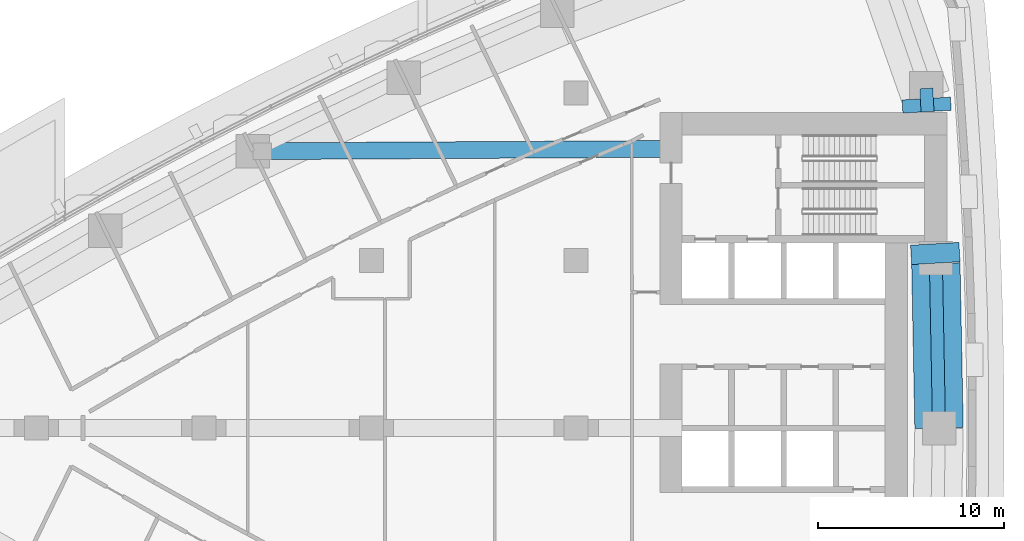
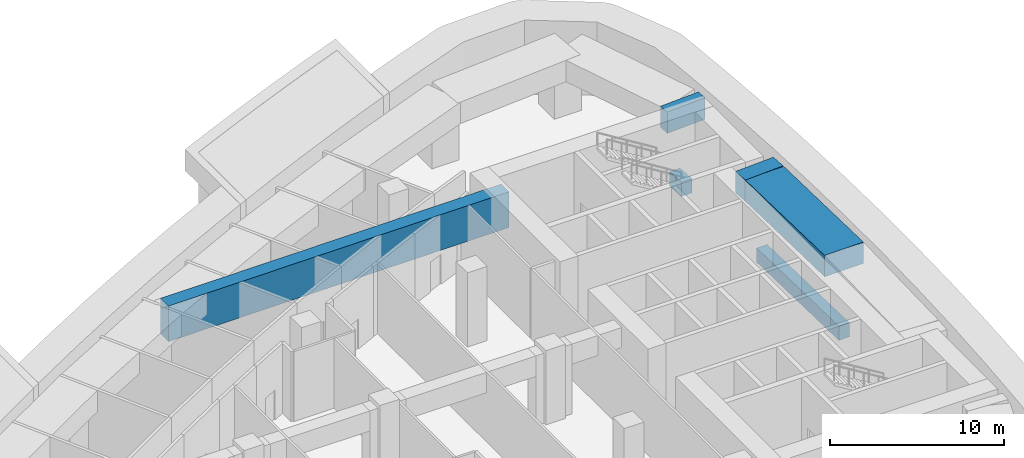
# One storey, part 6 of 17: 6 beams.
"""IFC4 building model written with IfcOpenShell, lengths in metres."""

from ifc_helpers import new_model, si_unit, direction, frame, origin, origin_2d, place, context, subcontext, project, spatial, rectangle, extrude, material, material_profile, profile_set, type_object, element, save


model = new_model("IFC4")

# Units and contexts
model_context = context("Model", 3, precision=1e-05, world=origin(), true_north=direction((0.0, 1.0)))
body_context = subcontext(model_context, "Body", "Model", "MODEL_VIEW")
ifc_project = project(units=[si_unit("LENGTHUNIT", "METRE"), si_unit("AREAUNIT", "SQUARE_METRE"), si_unit("VOLUMEUNIT", "CUBIC_METRE"), si_unit("PLANEANGLEUNIT", "RADIAN"), si_unit("MASSUNIT", "GRAM", prefix="KILO")], contexts=[model_context])

# Site, building, storey
site_placement = place(None, origin())
site = spatial("IfcSite", under=ifc_project, at=site_placement, CompositionType="ELEMENT")
building_placement = place(site_placement, origin())
building = spatial("IfcBuilding", under=site, at=building_placement, Name="Ostrand Prow Hotel Tower", CompositionType="ELEMENT")
storey_placement = place(building_placement, frame((0.0, 0.0, 75.10009765625)))
storey = spatial("IfcBuildingStorey", under=building, at=storey_placement, Name="L17", CompositionType="ELEMENT", Elevation=75.10009765625)

# Beams
ifc_material_1 = material(Name="Concrete C80/95", Category="concrete")
ifc_material_profile_1 = material_profile(ifc_material_1, rectangle(XDim=2.60009765625, YDim=1.5, at=origin_2d()), Name="RC 2600x1500")
ifc_profile_set_1 = profile_set([ifc_material_profile_1], Name="Concrete C80/95")
beam_type_1 = type_object("IfcBeamType", Name="Belt girder 2600x1500 C80/95", PredefinedType="BEAM", material=ifc_profile_set_1)
beam_1_placement = place(storey_placement, frame((64.5, 0.0, 4.14990234375), z_axis=(-0.019340553698, 0.999812953998, 0.0), x_axis=(-0.999812953998, -0.019340553698, 0.0)))
element("IfcBeam", 1, at=beam_1_placement, inside=storey, type_object=beam_type_1, Name="Belt girder B3-B4", PredefinedType="BEAM", context=body_context, shape_type="SweptSolid", body=[
    extrude(rectangle(XDim=2.60009765625, YDim=1.5, at=origin_2d()), origin(), (0.0, 0.0, 1.0), 8.861572265625),
])
beam_2_placement = place(storey_placement, frame((64.32861328125, 8.85986328125, 4.14990234375), z_axis=(-0.057884004436, 0.99832331538, 0.0), x_axis=(-0.99832331538, -0.057884004436, 0.0)))
element("IfcBeam", 2, at=beam_2_placement, inside=storey, type_object=beam_type_1, Name="Belt girder B4-B5", PredefinedType="BEAM", context=body_context, shape_type="SweptSolid", body=[
    extrude(rectangle(XDim=2.60009765625, YDim=1.5, at=origin_2d()), origin(), (0.0, 0.0, 1.0), 1.041748046875),
])
beam_3_placement = place(storey_placement, frame((63.855712890625, 17.0, 4.14990234375), z_axis=(-0.058317448014, 0.998298089379, 0.0), x_axis=(-0.998298089379, -0.058317448014, 0.0)))
element("IfcBeam", 3, at=beam_3_placement, inside=storey, type_object=beam_type_1, Name="Belt girder B4-B5", PredefinedType="BEAM", context=body_context, shape_type="SweptSolid", body=[
    extrude(rectangle(XDim=2.60009765625, YDim=1.5, at=origin_2d()), origin(), (0.0, 0.0, 1.0), 0.70751953125),
])
ifc_material_2 = material(Name="Concrete C80/95", Category="concrete")
ifc_material_profile_2 = material_profile(ifc_material_2, rectangle(XDim=0.699951171875, YDim=1.0, at=origin_2d()), Name="RC 700x1000")
ifc_profile_set_2 = profile_set([ifc_material_profile_2], Name="Concrete C80/95")
beam_type_2 = type_object("IfcBeamType", Name="Edge beam 700x1000 C80/95", PredefinedType="SPANDREL", material=ifc_profile_set_2)
beam_4_placement = place(storey_placement, frame((64.5, 0.0, -0.900146484375), z_axis=(-0.018793471688, 0.999823387115, 0.0), x_axis=(-0.999823387115, -0.018793471688, 0.0)))
element("IfcBeam", 4, at=beam_4_placement, inside=storey, type_object=beam_type_2, Name="Edge beam B3-B4", PredefinedType="SPANDREL", context=body_context, shape_type="SweptSolid", body=[
    extrude(rectangle(XDim=0.699951171875, YDim=1.0, at=origin_2d()), origin(), (0.0, 0.0, 1.0), 9.132568359375),
])
beam_5_placement = place(storey_placement, frame((63.8837890625, 17.0, -0.900146484375), z_axis=(-0.056215946509, 0.998418633319, 0.0), x_axis=(-0.998418633319, -0.056215946509, 0.0)))
element("IfcBeam", 5, at=beam_5_placement, inside=storey, type_object=beam_type_2, Name="Edge beam B4-B5", PredefinedType="SPANDREL", context=body_context, shape_type="SweptSolid", body=[
    extrude(rectangle(XDim=0.699951171875, YDim=1.0, at=origin_2d()), origin(), (0.0, 0.0, 1.0), 1.250732421875),
])
ifc_material_3 = material(Name="Concrete C80/95", Category="concrete")
ifc_material_profile_3 = material_profile(ifc_material_3, rectangle(XDim=0.89990234375, YDim=2.5, at=origin_2d()), Name="RC 900x2500")
ifc_profile_set_3 = profile_set([ifc_material_profile_3], Name="Concrete C80/95")
beam_type_3 = type_object("IfcBeamType", Name="Outrigger lintel 900x2500 C80/95", PredefinedType="LINTEL", material=ifc_profile_set_3)
beam_6_placement = place(storey_placement, frame((50.699951171875, 15.00341796875, 3.64990234375), z_axis=(-0.99998431255, -0.005601308169, 0.0), x_axis=(0.005601308169, -0.99998431255, 0.0)))
element("IfcBeam", 6, at=beam_6_placement, inside=storey, type_object=beam_type_3, Name="Outrigger lintel DN1", PredefinedType="LINTEL", context=body_context, shape_type="SweptSolid", body=[
    extrude(rectangle(XDim=0.89990234375, YDim=2.5, at=origin_2d()), origin(), (0.0, 0.0, 1.0), 22.664794921875),
])

save(model, "model.ifc")
